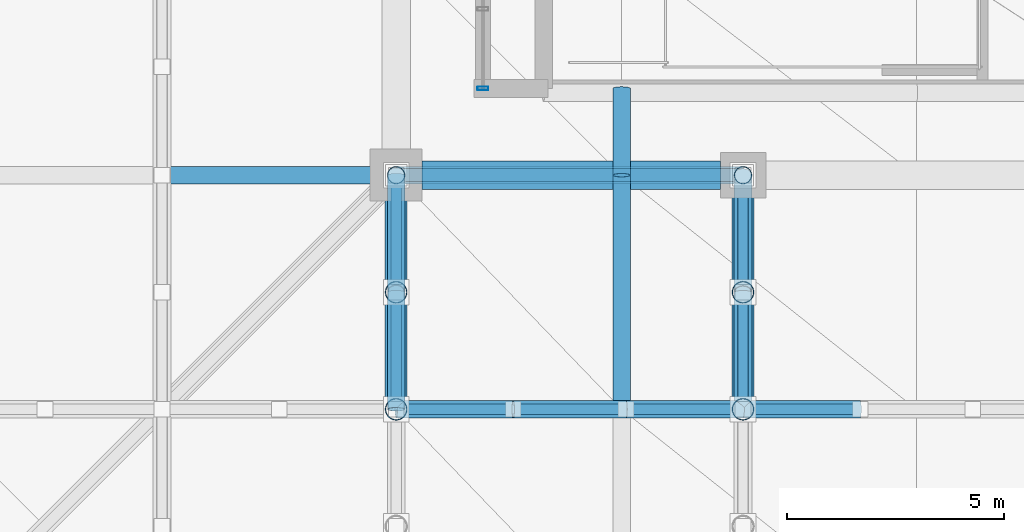
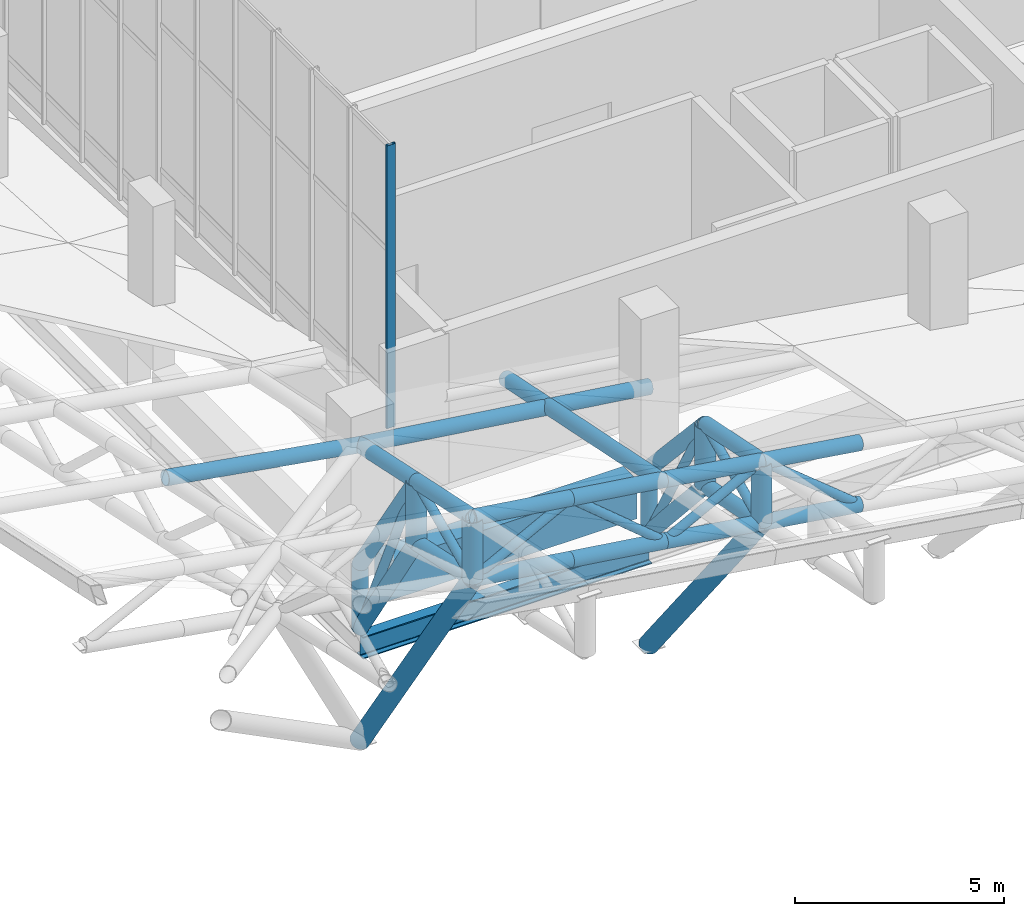
# One storey, part 12 of 137: 38 members, 2 beams, 1 element without a shape of its own.
"""IFC4 building model written with IfcOpenShell, lengths in metres."""

from ifc_helpers import new_model, si_unit, direction, frame, origin, origin_2d, place, context, subcontext, project, spatial, rectangle, hollow_rectangle, hollow_circle, i_section, extrude, material, layer, layer_set, material_profile, profile_set, type_object, element, aggregate, save


model = new_model("IFC4")

# Units and contexts
model_context = context("Model", 3, precision=1e-05, world=origin(), true_north=direction((0.0, 1.0)))
body_context = subcontext(model_context, "Body", "Model", "MODEL_VIEW")
ifc_project = project(units=[si_unit("LENGTHUNIT", "METRE"), si_unit("AREAUNIT", "SQUARE_METRE"), si_unit("VOLUMEUNIT", "CUBIC_METRE"), si_unit("PLANEANGLEUNIT", "RADIAN"), si_unit("MASSUNIT", "GRAM", prefix="KILO")], contexts=[model_context])

# Site, building, storey
site_placement = place(None, origin())
site = spatial("IfcSite", under=ifc_project, at=site_placement, CompositionType="ELEMENT")
building_placement = place(site_placement, origin())
building = spatial("IfcBuilding", under=site, at=building_placement, Name="Khorjan Park Terminus", CompositionType="ELEMENT")
storey_placement = place(building_placement, frame((0.0, 0.0, 11.4)))
storey = spatial("IfcBuildingStorey", under=building, at=storey_placement, Name="L02", CompositionType="ELEMENT", Elevation=11.4)

# Members
ifc_material_1 = material(Name="Steel S355", Category="steel")
ifc_material_profile_1 = material_profile(ifc_material_1, hollow_circle(Radius=0.1222, WallThickness=0.0125, at=origin_2d()), Name="CHS 244.5x12.5")
ifc_profile_set_1 = profile_set([ifc_material_profile_1], Name="Steel S355")
member_type_1 = type_object("IfcMemberType", Name="MB-BRE-245", PredefinedType="BRACE", material=ifc_profile_set_1)
member_1_placement = place(storey_placement, frame((48.0, 20.6, 2.7935), z_axis=(0.0, 0.910426516303, 0.413670833408), x_axis=(-1.0, 0.0, 0.0)))
element("IfcMember", 1, at=member_1_placement, inside=storey, type_object=member_type_1, Name="Lower shell cantilever truss diagonal (1S)", PredefinedType="BRACE", context=body_context, shape_type="SweptSolid", body=[
    extrude(hollow_circle(Radius=0.1222, WallThickness=0.0125, at=origin_2d()), origin(), (0.0, 0.0, 1.0), 2.9656),
])
member_2_placement = place(storey_placement, frame((48.0, 23.3, 4.0203), z_axis=(0.0, 0.413785624432, -0.910374349931), x_axis=(-1.0, 0.0, 0.0)))
element("IfcMember", 2, at=member_2_placement, inside=storey, type_object=member_type_1, Name="Lower shell cantilever truss diagonal (1S)", PredefinedType="BRACE", context=body_context, shape_type="SweptSolid", body=[
    extrude(hollow_circle(Radius=0.1222, WallThickness=0.0125, at=origin_2d()), origin(), (0.0, 0.0, 1.0), 6.5251),
])
member_3_placement = place(storey_placement, frame((56.0, 20.6, 1.6383), z_axis=(0.0, 0.907595020085, 0.419846733365), x_axis=(-1.0, 0.0, 0.0)))
element("IfcMember", 3, at=member_3_placement, inside=storey, type_object=member_type_1, Name="Lower shell cantilever truss diagonal (2S)", PredefinedType="BRACE", context=body_context, shape_type="SweptSolid", body=[
    extrude(hollow_circle(Radius=0.1222, WallThickness=0.0125, at=origin_2d()), origin(), (0.0, 0.0, 1.0), 2.9749),
])
member_4_placement = place(storey_placement, frame((56.0, 23.3, 2.8873), z_axis=(0.0, 0.489695395281, -0.871893582865), x_axis=(-1.0, 0.0, 0.0)))
element("IfcMember", 4, at=member_4_placement, inside=storey, type_object=member_type_1, Name="Lower shell cantilever truss diagonal (2S)", PredefinedType="BRACE", context=body_context, shape_type="SweptSolid", body=[
    extrude(hollow_circle(Radius=0.1222, WallThickness=0.0125, at=origin_2d()), origin(), (0.0, 0.0, 1.0), 5.5136),
])
member_5_placement = place(storey_placement, frame((48.0, 20.6, 2.7935), z_axis=(0.885127912271, 0.0, 0.465347804248), x_axis=(0.0, 1.0, 0.0)))
element("IfcMember", 5, at=member_5_placement, inside=storey, type_object=member_type_1, Name="Lower shell mid-ring diagonal (S5)", PredefinedType="BRACE", context=body_context, shape_type="SweptSolid", body=[
    extrude(hollow_circle(Radius=0.1222, WallThickness=0.0125, at=origin_2d()), origin(), (0.0, 0.0, 1.0), 3.0504),
])
member_6_placement = place(storey_placement, frame((50.7, 20.6, 4.213), z_axis=(0.768114720888, 0.0, -0.640312248482), x_axis=(0.0, 1.0, 0.0)))
element("IfcMember", 6, at=member_6_placement, inside=storey, type_object=member_type_1, Name="Lower shell mid-ring diagonal (S6)", PredefinedType="BRACE", context=body_context, shape_type="SweptSolid", body=[
    extrude(hollow_circle(Radius=0.1222, WallThickness=0.0125, at=origin_2d()), origin(), (0.0, 0.0, 1.0), 3.3849),
])
member_7_placement = place(storey_placement, frame((53.3, 20.6, 2.0456), z_axis=(0.888734443095, 0.0, 0.458422392185), x_axis=(0.0, 1.0, 0.0)))
element("IfcMember", 7, at=member_7_placement, inside=storey, type_object=member_type_1, Name="Lower shell mid-ring diagonal (S7)", PredefinedType="BRACE", context=body_context, shape_type="SweptSolid", body=[
    extrude(hollow_circle(Radius=0.1222, WallThickness=0.0125, at=origin_2d()), origin(), (0.0, 0.0, 1.0), 3.038),
])
member_8_placement = place(storey_placement, frame((56.0, 20.6, 3.4383), z_axis=(0.774208919851, 0.0, -0.63293012918), x_axis=(0.0, 1.0, 0.0)))
element("IfcMember", 8, at=member_8_placement, inside=storey, type_object=member_type_1, Name="Lower shell mid-ring diagonal (S8)", PredefinedType="BRACE", context=body_context, shape_type="SweptSolid", body=[
    extrude(hollow_circle(Radius=0.1222, WallThickness=0.0125, at=origin_2d()), origin(), (0.0, 0.0, 1.0), 3.4874),
])
ifc_material_profile_2 = material_profile(ifc_material_1, hollow_circle(Radius=0.2032, WallThickness=0.016, at=origin_2d()), Name="CHS 406.4x16")
ifc_profile_set_2 = profile_set([ifc_material_profile_2], Name="Steel S355")
member_type_2 = type_object("IfcMemberType", Name="MB-CH-406", PredefinedType="CHORD", material=ifc_profile_set_2)
member_9_placement = place(storey_placement, frame((53.2, 26.0, 2.7587), z_axis=(0.0, 0.979800532757, -0.199977288736), x_axis=(-1.0, 0.0, 0.0)))
element("IfcMember", 9, at=member_9_placement, inside=storey, type_object=member_type_2, Name="Lower wrapping shell rim chord (128)", PredefinedType="CHORD", context=body_context, shape_type="SweptSolid", body=[
    extrude(hollow_circle(Radius=0.2032, WallThickness=0.016, at=origin_2d()), origin(), (0.0, 0.0, 1.0), 2.0412),
])
ifc_material_profile_3 = material_profile(ifc_material_1, hollow_circle(Radius=0.2032, WallThickness=0.016, at=origin_2d()), Name="CHS 406.4x16")
ifc_profile_set_3 = profile_set([ifc_material_profile_3], Name="Steel S355")
member_type_3 = type_object("IfcMemberType", Name="MB-CHE-406", PredefinedType="CHORD", material=ifc_profile_set_3)
member_10_placement = place(storey_placement, frame((42.6, 26.0, 4.3632), z_axis=(0.985913104802, 0.0, -0.167258332465), x_axis=(0.0, 1.0, 0.0)))
element("IfcMember", 10, at=member_10_placement, inside=storey, type_object=member_type_3, Name="Lower wrapping shell rim chord (58)", PredefinedType="CHORD", context=body_context, shape_type="SweptSolid", body=[
    extrude(hollow_circle(Radius=0.2032, WallThickness=0.016, at=origin_2d()), origin(), (0.0, 0.0, 1.0), 5.4772),
])
member_11_placement = place(storey_placement, frame((48.0, 26.0, 3.4471), z_axis=(0.990628641265, 0.0, -0.136582923914), x_axis=(0.0, 1.0, 0.0)))
element("IfcMember", 11, at=member_11_placement, inside=storey, type_object=member_type_3, Name="Lower wrapping shell rim chord (59)", PredefinedType="CHORD", context=body_context, shape_type="SweptSolid", body=[
    extrude(hollow_circle(Radius=0.2032, WallThickness=0.016, at=origin_2d()), origin(), (0.0, 0.0, 1.0), 8.0757),
])
member_12_placement = place(storey_placement, frame((48.0, 20.6, 4.5935), z_axis=(0.0, 0.978199346233, -0.207668098245), x_axis=(-1.0, 0.0, 0.0)))
element("IfcMember", 12, at=member_12_placement, inside=storey, type_object=member_type_3, Name="Lower wrapping shell rim chord (121)", PredefinedType="CHORD", context=body_context, shape_type="SweptSolid", body=[
    extrude(hollow_circle(Radius=0.2032, WallThickness=0.016, at=origin_2d()), origin(), (0.0, 0.0, 1.0), 5.5203),
])
member_13_placement = place(storey_placement, frame((53.2, 20.6, 3.8607), z_axis=(0.0, 0.979805509738, -0.199952902172), x_axis=(-1.0, 0.0, 0.0)))
element("IfcMember", 13, at=member_13_placement, inside=storey, type_object=member_type_3, Name="Lower wrapping shell rim chord (127)", PredefinedType="CHORD", context=body_context, shape_type="SweptSolid", body=[
    extrude(hollow_circle(Radius=0.2032, WallThickness=0.016, at=origin_2d()), origin(), (0.0, 0.0, 1.0), 5.5113),
])
for number, where, z_axis, x_axis, name in (
    (14, (48.0, 20.6, 4.5935), (0.0, 0.978199346233, -0.207668098245), (-1.0, 0.0, 0.0), "Lower shell cantilever truss top chord (1S)"),
    (15, (48.0, 20.6, 2.7935), (0.0, 0.978199346233, -0.207668098245), (-1.0, 0.0, 0.0), "Lower shell cantilever truss bottom chord (1S)"),
):
    element("IfcMember", number, at=place(storey_placement, frame(where, z_axis=z_axis, x_axis=x_axis)), inside=storey, type_object=member_type_3, Name=name, PredefinedType="CHORD", context=body_context, shape_type="SweptSolid", body=[
        extrude(hollow_circle(Radius=0.2032, WallThickness=0.016, at=origin_2d()), origin(), (0.0, 0.0, 1.0), 2.7602),
    ])
member_14_placement = place(storey_placement, frame((48.0, 23.3, 4.0203), z_axis=(0.0, 0.552780526491, -0.833326880361), x_axis=(-1.0, 0.0, 0.0)))
element("IfcMember", 16, at=member_14_placement, inside=storey, type_object=member_type_3, Name="Lower shell cantilever truss top chord (1S)", PredefinedType="CHORD", context=body_context, shape_type="SweptSolid", body=[
    extrude(hollow_circle(Radius=0.2032, WallThickness=0.016, at=origin_2d()), origin(), (0.0, 0.0, 1.0), 4.8844),
])
member_15_placement = place(storey_placement, frame((48.0, 23.3, 2.2203), z_axis=(0.0, 0.546240009424, -0.837628707784), x_axis=(-1.0, 0.0, 0.0)))
element("IfcMember", 17, at=member_15_placement, inside=storey, type_object=member_type_3, Name="Lower shell cantilever truss bottom chord (1S)", PredefinedType="CHORD", context=body_context, shape_type="SweptSolid", body=[
    extrude(hollow_circle(Radius=0.2032, WallThickness=0.016, at=origin_2d()), origin(), (0.0, 0.0, 1.0), 4.9429),
])
for number, where, z_axis, x_axis, name in (
    (18, (56.0, 20.6, 3.4383), (0.0, 0.979805509738, -0.199952902172), (-1.0, 0.0, 0.0), "Lower shell cantilever truss top chord (2S)"),
    (19, (56.0, 20.6, 1.6383), (0.0, 0.979805509738, -0.199952902172), (-1.0, 0.0, 0.0), "Lower shell cantilever truss bottom chord (2S)"),
):
    element("IfcMember", number, at=place(storey_placement, frame(where, z_axis=z_axis, x_axis=x_axis)), inside=storey, type_object=member_type_3, Name=name, PredefinedType="CHORD", context=body_context, shape_type="SweptSolid", body=[
        extrude(hollow_circle(Radius=0.2032, WallThickness=0.016, at=origin_2d()), origin(), (0.0, 0.0, 1.0), 2.7556),
    ])
member_16_placement = place(storey_placement, frame((56.0, 23.3, 2.8873), z_axis=(0.0, 0.676742076537, -0.736220185708), x_axis=(-1.0, 0.0, 0.0)))
element("IfcMember", 20, at=member_16_placement, inside=storey, type_object=member_type_3, Name="Lower shell cantilever truss top chord (2S)", PredefinedType="CHORD", context=body_context, shape_type="SweptSolid", body=[
    extrude(hollow_circle(Radius=0.2032, WallThickness=0.016, at=origin_2d()), origin(), (0.0, 0.0, 1.0), 3.9897),
])
member_17_placement = place(storey_placement, frame((56.0, 23.3, 1.0873), z_axis=(0.0, 0.668066106511, -0.744101926708), x_axis=(-1.0, 0.0, 0.0)))
element("IfcMember", 21, at=member_17_placement, inside=storey, type_object=member_type_3, Name="Lower shell cantilever truss bottom chord (2S)", PredefinedType="CHORD", context=body_context, shape_type="SweptSolid", body=[
    extrude(hollow_circle(Radius=0.2032, WallThickness=0.016, at=origin_2d()), origin(), (0.0, 0.0, 1.0), 4.0415),
])
for number, where, z_axis, x_axis, name in (
    (22, (48.0, 20.6, 4.5935), (0.99021544467, 0.0, -0.139547028406), (0.0, 1.0, 0.0), "Lower shell mid-ring top chord (S5)"),
    (23, (48.0, 20.6, 2.7935), (0.99021544467, 0.0, -0.139547028406), (0.0, 1.0, 0.0), "Lower shell mid-ring bottom chord (S5)"),
):
    element("IfcMember", number, at=place(storey_placement, frame(where, z_axis=z_axis, x_axis=x_axis)), inside=storey, type_object=member_type_3, Name=name, PredefinedType="CHORD", context=body_context, shape_type="SweptSolid", body=[
        extrude(hollow_circle(Radius=0.2032, WallThickness=0.016, at=origin_2d()), origin(), (0.0, 0.0, 1.0), 2.7267),
    ])
for number, where, z_axis, x_axis, name in (
    (24, (50.7, 20.6, 4.213), (0.990163141127, 0.0, -0.139917668481), (0.0, 1.0, 0.0), "Lower shell mid-ring top chord (S6)"),
    (25, (50.7, 20.6, 2.413), (0.990163141127, 0.0, -0.139917668481), (0.0, 1.0, 0.0), "Lower shell mid-ring bottom chord (S6)"),
):
    element("IfcMember", number, at=place(storey_placement, frame(where, z_axis=z_axis, x_axis=x_axis)), inside=storey, type_object=member_type_3, Name=name, PredefinedType="CHORD", context=body_context, shape_type="SweptSolid", body=[
        extrude(hollow_circle(Radius=0.2032, WallThickness=0.016, at=origin_2d()), origin(), (0.0, 0.0, 1.0), 2.6258),
    ])
for number, where, z_axis, x_axis, name in (
    (26, (53.3, 20.6, 3.8456), (0.988812441783, 0.0, -0.149164187977), (0.0, 1.0, 0.0), "Lower shell mid-ring top chord (S7)"),
    (27, (53.3, 20.6, 2.0456), (0.988812441783, 0.0, -0.149164187977), (0.0, 1.0, 0.0), "Lower shell mid-ring bottom chord (S7)"),
    (28, (56.0, 20.6, 3.4383), (0.988812441783, 0.0, -0.149164187977), (0.0, 1.0, 0.0), "Lower shell mid-ring top chord (S8)"),
    (29, (56.0, 20.6, 1.6383), (0.988812441783, 0.0, -0.149164187977), (0.0, 1.0, 0.0), "Lower shell mid-ring bottom chord (S8)"),
):
    element("IfcMember", number, at=place(storey_placement, frame(where, z_axis=z_axis, x_axis=x_axis)), inside=storey, type_object=member_type_3, Name=name, PredefinedType="CHORD", context=body_context, shape_type="SweptSolid", body=[
        extrude(hollow_circle(Radius=0.2032, WallThickness=0.016, at=origin_2d()), origin(), (0.0, 0.0, 1.0), 2.7305),
    ])
ifc_material_profile_4 = material_profile(ifc_material_1, hollow_circle(Radius=0.2032, WallThickness=0.016, at=origin_2d()), Name="CHS 406.4x16")
ifc_profile_set_4 = profile_set([ifc_material_profile_4], Name="Steel S355")
member_type_4 = type_object("IfcMemberType", Name="MB-ST-406", PredefinedType="STRUT", material=ifc_profile_set_4)
for number, where, z_axis, x_axis, name in (
    (30, (48.0, 26.0, -1.92), (0.0, 0.0, 1.0), (1.0, 0.0, 0.0), "Lower shell cantilever truss post (1S)"),
    (31, (56.0, 26.0, -1.92), (0.0, 0.0, 1.0), (1.0, 0.0, 0.0), "Lower shell cantilever truss post (2S)"),
):
    element("IfcMember", number, at=place(storey_placement, frame(where, z_axis=z_axis, x_axis=x_axis)), inside=storey, type_object=member_type_4, Name=name, PredefinedType="STRUT", context=body_context, shape_type="SweptSolid", body=[
        extrude(hollow_circle(Radius=0.2032, WallThickness=0.016, at=origin_2d()), origin(), (0.0, 0.0, 1.0), 1.87),
    ])
ifc_material_profile_5 = material_profile(ifc_material_1, hollow_circle(Radius=0.254, WallThickness=0.02, at=origin_2d()), Name="CHS 508x20")
ifc_profile_set_5 = profile_set([ifc_material_profile_5], Name="Steel S355")
member_type_5 = type_object("IfcMemberType", Name="MB-STE-508", PredefinedType="STRUT", material=ifc_profile_set_5)
for number, where, z_axis, x_axis, name in (
    (32, (48.0, 20.6, 2.7935), (0.0, 0.0, 1.0), (1.0, 0.0, 0.0), "Lower shell cantilever truss post (1S)"),
    (33, (48.0, 23.3, 2.2203), (0.0, 0.0, 1.0), (1.0, 0.0, 0.0), "Lower shell cantilever truss post (1S)"),
):
    element("IfcMember", number, at=place(storey_placement, frame(where, z_axis=z_axis, x_axis=x_axis)), inside=storey, type_object=member_type_5, Name=name, PredefinedType="STRUT", context=body_context, shape_type="SweptSolid", body=[
        extrude(hollow_circle(Radius=0.254, WallThickness=0.02, at=origin_2d()), origin(), (0.0, 0.0, 1.0), 1.8),
    ])
member_18_placement = place(storey_placement, frame((48.0, 26.0, -5.2), z_axis=(0.0, -0.559785275898, 0.82863770424), x_axis=(1.0, 0.0, 0.0)))
element("IfcMember", 34, at=member_18_placement, inside=storey, type_object=member_type_5, Name="Lower shell raked overhang V-strut STE-51 (1S)", PredefinedType="STRUT", context=body_context, shape_type="SweptSolid", body=[
    extrude(hollow_circle(Radius=0.254, WallThickness=0.02, at=origin_2d()), origin(), (0.0, 0.0, 1.0), 9.6466),
])
for number, where, z_axis, x_axis, name in (
    (35, (56.0, 20.6, 1.6383), (0.0, 0.0, 1.0), (1.0, 0.0, 0.0), "Lower shell cantilever truss post (2S)"),
    (36, (56.0, 23.3, 1.0873), (0.0, 0.0, 1.0), (1.0, 0.0, 0.0), "Lower shell cantilever truss post (2S)"),
):
    element("IfcMember", number, at=place(storey_placement, frame(where, z_axis=z_axis, x_axis=x_axis)), inside=storey, type_object=member_type_5, Name=name, PredefinedType="STRUT", context=body_context, shape_type="SweptSolid", body=[
        extrude(hollow_circle(Radius=0.254, WallThickness=0.02, at=origin_2d()), origin(), (0.0, 0.0, 1.0), 1.8),
    ])
member_19_placement = place(storey_placement, frame((56.0, 26.0, -5.2), z_axis=(0.0, -0.619739172064, 0.784807848208), x_axis=(1.0, 0.0, 0.0)))
element("IfcMember", 37, at=member_19_placement, inside=storey, type_object=member_type_5, Name="Lower shell raked overhang V-strut STE-51 (2S)", PredefinedType="STRUT", context=body_context, shape_type="SweptSolid", body=[
    extrude(hollow_circle(Radius=0.254, WallThickness=0.02, at=origin_2d()), origin(), (0.0, 0.0, 1.0), 8.7133),
])

# Curtain wall, member
ifc_material_2 = material(Name="Anodized Bronze Aluminium", Category="aluminium")
ifc_layer = layer(ifc_material_2, 0.22)
ifc_layer_set = layer_set([ifc_layer], Name="Anodized Bronze Aluminium")
curtain_wall_type = type_object("IfcCurtainWallType", Name="CW-CONC-CLR", PredefinedType="NOTDEFINED", material=ifc_layer_set)
curtain_wall_placement = place(storey_placement, origin())
curtain_wall = element("IfcCurtainWall", 38, at=curtain_wall_placement, inside=storey, type_object=curtain_wall_type, Name="Unitized curtain wall CW-CL (CW-V2-W-CLR-01)", PredefinedType="NOTDEFINED")
ifc_material_profile_6 = material_profile(ifc_material_2, hollow_rectangle(XDim=0.08, YDim=0.25, WallThickness=0.005, InnerFilletRadius=0.005, OuterFilletRadius=0.01, at=origin_2d()), Name="ALM 80x250x5")
ifc_profile_set_6 = profile_set([ifc_material_profile_6], Name="Anodized Bronze Aluminium")
member_type_6 = type_object("IfcMemberType", Name="ML-ALM-250", PredefinedType="MULLION", material=ifc_profile_set_6)
member_20_placement = place(storey_placement, frame((50.0, 28.0, 2.056), z_axis=(0.0, 0.0, 1.0), x_axis=(0.0, -1.0, 0.0)))
member_20 = element("IfcMember", 39, at=member_20_placement, type_object=member_type_6, Name="Curtain-wall mullion ML-25 (CW-V2-W-CLR-01-6)", PredefinedType="MULLION", context=body_context, shape_type="SweptSolid", body=[
    extrude(hollow_rectangle(XDim=0.08, YDim=0.25, WallThickness=0.005, InnerFilletRadius=0.005, OuterFilletRadius=0.01, at=origin_2d()), origin(), (0.0, 0.0, 1.0), 8.2803),
])
aggregate(curtain_wall, [member_20])

# Beams
ifc_material_profile_7 = material_profile(ifc_material_1, i_section(OverallWidth=0.3, OverallDepth=0.65, WebThickness=0.016, FlangeThickness=0.031, FilletRadius=0.027, at=origin_2d()), Name="HEB 650")
ifc_profile_set_7 = profile_set([ifc_material_profile_7], Name="Steel S355")
beam_type_1 = type_object("IfcBeamType", Name="SP-HEB650E", PredefinedType="SPANDREL", material=ifc_profile_set_7)
beam_1_placement = place(storey_placement, frame((48.0, 26.0, -2.425), z_axis=(1.0, 0.0, 0.0), x_axis=(0.0, 1.0, 0.0)))
element("IfcBeam", 40, at=beam_1_placement, inside=storey, type_object=beam_type_1, Name="Lower shell truss support girder SP-E65 (X1)", PredefinedType="SPANDREL", context=body_context, shape_type="SweptSolid", body=[
    extrude(i_section(OverallWidth=0.3, OverallDepth=0.65, WebThickness=0.016, FlangeThickness=0.031, FilletRadius=0.027, at=origin_2d()), origin(), (0.0, 0.0, 1.0), 8.0),
])
ifc_material_3 = material(Name="Concrete C50/60", Category="concrete")
ifc_material_profile_8 = material_profile(ifc_material_3, rectangle(XDim=0.65, YDim=1.15, at=origin_2d()), Name="RC 650x1150")
ifc_profile_set_8 = profile_set([ifc_material_profile_8], Name="Concrete C50/60")
beam_type_2 = type_object("IfcBeamType", Name="SP-RC650x1150", PredefinedType="SPANDREL", material=ifc_profile_set_8)
beam_2_placement = place(storey_placement, frame((48.595, 26.0, -0.575), z_axis=(1.0, 0.0, 0.0), x_axis=(0.0, 1.0, 0.0)))
element("IfcBeam", 41, at=beam_2_placement, inside=storey, type_object=beam_type_2, Name="Concourse lower colonnade ring beam SP-11 (L02-37)", PredefinedType="SPANDREL", context=body_context, shape_type="SweptSolid", body=[
    extrude(rectangle(XDim=0.65, YDim=1.15, at=origin_2d()), origin(), (0.0, 0.0, 1.0), 6.885),
])

save(model, "model.ifc")
